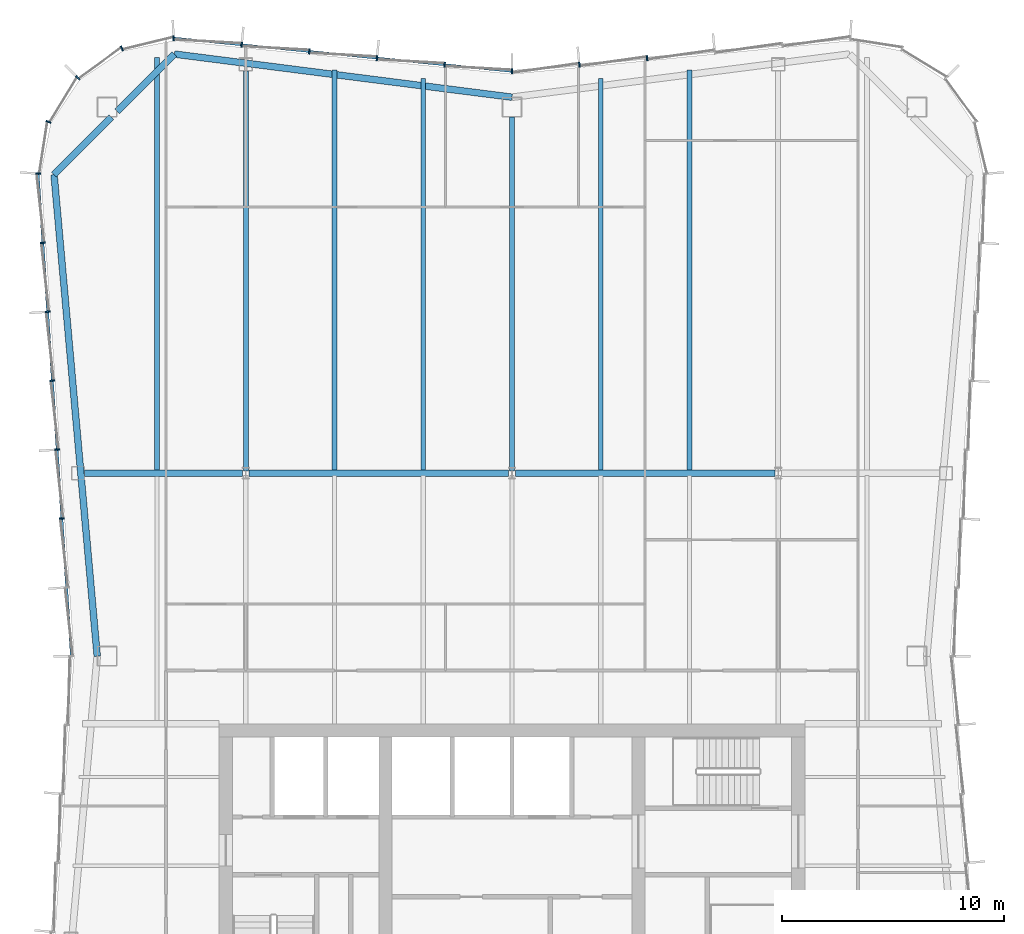
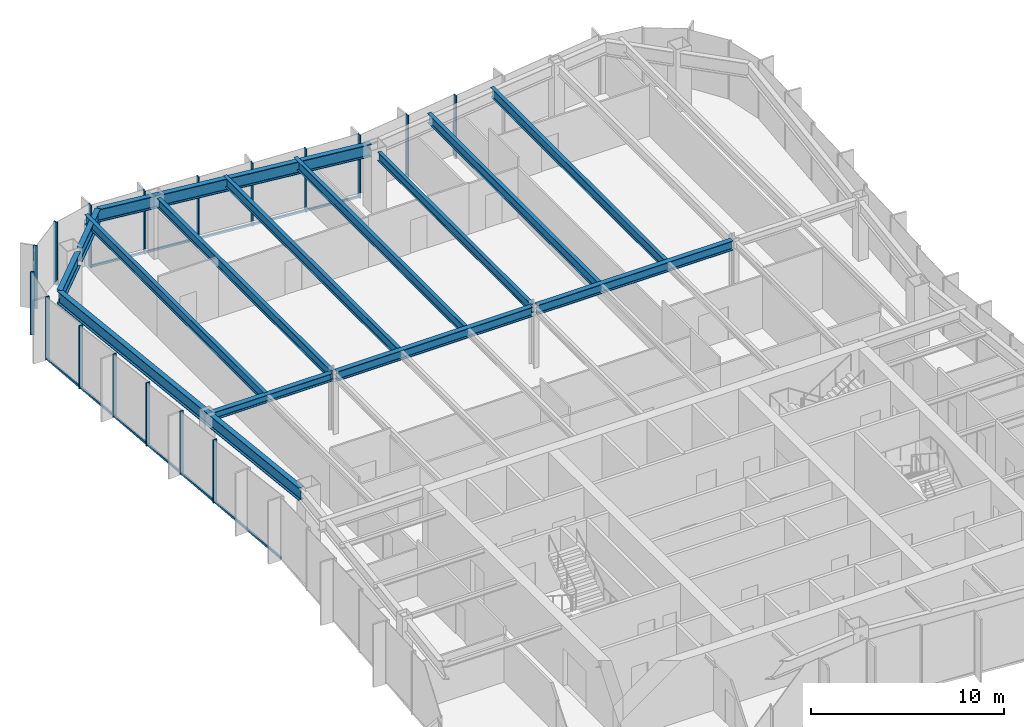
# One storey, part 6 of 13: 19 members, 14 beams, 3 elements without a shape of their own.
"""IFC4 building model written with IfcOpenShell, lengths in metres."""

from ifc_helpers import new_model, si_unit, direction, frame, origin, origin_2d, place, context, subcontext, project, spatial, rectangle, i_section, extrude, material, material_profile, profile_set, type_object, element, aggregate, save


model = new_model("IFC4")

# Units and contexts
model_context = context("Model", 3, precision=1e-05, world=origin(), true_north=direction((0.0, 1.0)))
body_context = subcontext(model_context, "Body", "Model", "MODEL_VIEW")
ifc_project = project(units=[si_unit("LENGTHUNIT", "METRE"), si_unit("AREAUNIT", "SQUARE_METRE"), si_unit("VOLUMEUNIT", "CUBIC_METRE"), si_unit("PLANEANGLEUNIT", "RADIAN"), si_unit("MASSUNIT", "GRAM", prefix="KILO")], contexts=[model_context])

# Site, building, storey
site_placement = place(None, origin())
site = spatial("IfcSite", under=ifc_project, at=site_placement, CompositionType="ELEMENT")
building_placement = place(site_placement, origin())
building = spatial("IfcBuilding", under=site, at=building_placement, Name="Verdant Reach Tower", CompositionType="ELEMENT")
storey_placement = place(building_placement, frame((0.0, 0.0, 330.0)))
storey = spatial("IfcBuildingStorey", under=building, at=storey_placement, Name="L76", CompositionType="ELEMENT", Elevation=330.0)

# Curtain wall, members
ifc_material_1 = material(Name="Anodised aluminium", Category="aluminium")
curtain_wall_type = type_object("IfcCurtainWallType", Name="EN-CW SYSTEM Z5", PredefinedType="NOTDEFINED", material=ifc_material_1)
curtain_wall_1_placement = place(storey_placement, origin())
curtain_wall_1 = element("IfcCurtainWall", 1, at=curtain_wall_1_placement, inside=storey, type_object=curtain_wall_type, Name="Curtain wall north, L76", PredefinedType="NOTDEFINED")
ifc_material_profile_1 = material_profile(ifc_material_1, rectangle(XDim=0.22998046875, YDim=0.070068359375, at=origin_2d()), Name="Mullion 70x230")
ifc_profile_set_1 = profile_set([ifc_material_profile_1], Name="Anodised aluminium")
member_type_1 = type_object("IfcMemberType", Name="EN-MULLION Z5", PredefinedType="MULLION", material=ifc_profile_set_1)
member_1_placement = place(storey_placement, frame((6.088623046875, 68.21435546875, -0.35009765625), z_axis=(0.0, 0.0, 1.0), x_axis=(-0.09788826992, 0.995197410875, 0.0)))
member_1 = element("IfcMember", 2, at=member_1_placement, type_object=member_type_1, Name="Mullion north face part 1 4, L76", PredefinedType="MULLION", context=body_context, shape_type="SweptSolid", body=[
    extrude(rectangle(XDim=0.22998046875, YDim=0.070068359375, at=origin_2d()), origin(), (0.0, 0.0, 1.0), 4.0),
])
member_2_placement = place(storey_placement, frame((3.038818359375, 67.91455078125, -0.35009765625), z_axis=(0.0, 0.0, 1.0), x_axis=(-0.09788826992, 0.995197410875, 0.0)))
member_2 = element("IfcMember", 3, at=member_2_placement, type_object=member_type_1, Name="Mullion north face part 1 5, L76", PredefinedType="MULLION", context=body_context, shape_type="SweptSolid", body=[
    extrude(rectangle(XDim=0.22998046875, YDim=0.070068359375, at=origin_2d()), origin(), (0.0, 0.0, 1.0), 4.0),
])
member_3_placement = place(storey_placement, frame((0.0, 67.614990234375, -0.35009765625), z_axis=(0.0, 0.0, 1.0), x_axis=(0.0, 1.0, 0.0)))
member_3 = element("IfcMember", 4, at=member_3_placement, type_object=member_type_1, Name="Mullion north face part 2 1, L76", PredefinedType="MULLION", context=body_context, shape_type="SweptSolid", body=[
    extrude(rectangle(XDim=0.22998046875, YDim=0.070068359375, at=origin_2d()), origin(), (0.0, 0.0, 1.0), 4.0),
])
member_4_placement = place(storey_placement, frame((-3.038818359375, 67.91455078125, -0.35009765625), z_axis=(0.0, 0.0, 1.0), x_axis=(0.09788826992, 0.995197410875, 0.0)))
member_4 = element("IfcMember", 5, at=member_4_placement, type_object=member_type_1, Name="Mullion north face part 2 2, L76", PredefinedType="MULLION", context=body_context, shape_type="SweptSolid", body=[
    extrude(rectangle(XDim=0.22998046875, YDim=0.070068359375, at=origin_2d()), origin(), (0.0, 0.0, 1.0), 4.0),
])
member_5_placement = place(storey_placement, frame((-6.088623046875, 68.21435546875, -0.35009765625), z_axis=(0.0, 0.0, 1.0), x_axis=(0.09788826992, 0.995197410875, 0.0)))
member_5 = element("IfcMember", 6, at=member_5_placement, type_object=member_type_1, Name="Mullion north face part 2 3, L76", PredefinedType="MULLION", context=body_context, shape_type="SweptSolid", body=[
    extrude(rectangle(XDim=0.22998046875, YDim=0.070068359375, at=origin_2d()), origin(), (0.0, 0.0, 1.0), 4.0),
])
member_6_placement = place(storey_placement, frame((-9.138671875, 68.514404296875, -0.35009765625), z_axis=(0.0, 0.0, 1.0), x_axis=(0.09788826992, 0.995197410875, 0.0)))
member_6 = element("IfcMember", 7, at=member_6_placement, type_object=member_type_1, Name="Mullion north face part 2 4, L76", PredefinedType="MULLION", context=body_context, shape_type="SweptSolid", body=[
    extrude(rectangle(XDim=0.22998046875, YDim=0.070068359375, at=origin_2d()), origin(), (0.0, 0.0, 1.0), 4.0),
])
member_7_placement = place(storey_placement, frame((-12.188720703125, 68.814453125, -0.35009765625), z_axis=(0.0, 0.0, 1.0), x_axis=(0.09788826992, 0.995197410875, 0.0)))
member_7 = element("IfcMember", 8, at=member_7_placement, type_object=member_type_1, Name="Mullion north face part 2 5, L76", PredefinedType="MULLION", context=body_context, shape_type="SweptSolid", body=[
    extrude(rectangle(XDim=0.22998046875, YDim=0.070068359375, at=origin_2d()), origin(), (0.0, 0.0, 1.0), 4.0),
])

curtain_wall_2_placement = place(storey_placement, origin())
curtain_wall_2 = element("IfcCurtainWall", 9, at=curtain_wall_2_placement, inside=storey, type_object=curtain_wall_type, Name="Curtain wall north-west corner, L76", PredefinedType="NOTDEFINED")
member_8_placement = place(storey_placement, frame((-15.255615234375, 69.11474609375, -0.35009765625), z_axis=(0.0, 0.0, 1.0), x_axis=(-0.049127596288, 0.998792510626, 0.0)))
member_8 = element("IfcMember", 10, at=member_8_placement, type_object=member_type_1, Name="Mullion north-west corner 1, L76", PredefinedType="MULLION", context=body_context, shape_type="SweptSolid", body=[
    extrude(rectangle(XDim=0.22998046875, YDim=0.070068359375, at=origin_2d()), origin(), (0.0, 0.0, 1.0), 4.0),
])
member_9_placement = place(storey_placement, frame((-17.590087890625, 68.649658203125, -0.35009765625), z_axis=(0.0, 0.0, 1.0), x_axis=(-0.382693853776, 0.923875215753, 0.0)))
member_9 = element("IfcMember", 11, at=member_9_placement, type_object=member_type_1, Name="Mullion north-west corner 2, L76", PredefinedType="MULLION", context=body_context, shape_type="SweptSolid", body=[
    extrude(rectangle(XDim=0.22998046875, YDim=0.070068359375, at=origin_2d()), origin(), (0.0, 0.0, 1.0), 4.0),
])
member_10_placement = place(storey_placement, frame((-19.573974609375, 67.323974609375, -0.35009765625), z_axis=(0.0, 0.0, 1.0), x_axis=(-0.707106781187, 0.707106781187, 0.0)))
member_10 = element("IfcMember", 12, at=member_10_placement, type_object=member_type_1, Name="Mullion north-west corner 3, L76", PredefinedType="MULLION", context=body_context, shape_type="SweptSolid", body=[
    extrude(rectangle(XDim=0.22998046875, YDim=0.070068359375, at=origin_2d()), origin(), (0.0, 0.0, 1.0), 4.0),
])
member_11_placement = place(storey_placement, frame((-20.899658203125, 65.340087890625, -0.35009765625), z_axis=(0.0, 0.0, 1.0), x_axis=(-0.923875215753, 0.382693853776, 0.0)))
member_11 = element("IfcMember", 13, at=member_11_placement, type_object=member_type_1, Name="Mullion north-west corner 4, L76", PredefinedType="MULLION", context=body_context, shape_type="SweptSolid", body=[
    extrude(rectangle(XDim=0.22998046875, YDim=0.070068359375, at=origin_2d()), origin(), (0.0, 0.0, 1.0), 4.0),
])
aggregate(curtain_wall_2, [member_8, member_9, member_10, member_11])

curtain_wall_3_placement = place(storey_placement, origin())
curtain_wall_3 = element("IfcCurtainWall", 14, at=curtain_wall_3_placement, inside=storey, type_object=curtain_wall_type, Name="Curtain wall west, L76", PredefinedType="NOTDEFINED")
member_12_placement = place(storey_placement, frame((-21.36474609375, 63.00732421875, -0.35009765625), z_axis=(0.0, 0.0, 1.0), x_axis=(-0.997969180898, 0.063698618332, 0.0)))
member_12 = element("IfcMember", 15, at=member_12_placement, type_object=member_type_1, Name="Mullion west face part 1 1, L76", PredefinedType="MULLION", context=body_context, shape_type="SweptSolid", body=[
    extrude(rectangle(XDim=0.22998046875, YDim=0.070068359375, at=origin_2d()), origin(), (0.0, 0.0, 1.0), 4.0),
])
member_13_placement = place(storey_placement, frame((-21.150390625, 59.885009765625, -0.35009765625), z_axis=(0.0, 0.0, 1.0), x_axis=(-0.997630328423, -0.068802091615, 0.0)))
member_13 = element("IfcMember", 16, at=member_13_placement, type_object=member_type_1, Name="Mullion west face part 1 2, L76", PredefinedType="MULLION", context=body_context, shape_type="SweptSolid", body=[
    extrude(rectangle(XDim=0.22998046875, YDim=0.070068359375, at=origin_2d()), origin(), (0.0, 0.0, 1.0), 4.0),
])
member_14_placement = place(storey_placement, frame((-20.93603515625, 56.77783203125, -0.35009765625), z_axis=(0.0, 0.0, 1.0), x_axis=(-0.997630328423, -0.068802091615, 0.0)))
member_14 = element("IfcMember", 17, at=member_14_placement, type_object=member_type_1, Name="Mullion west face part 1 3, L76", PredefinedType="MULLION", context=body_context, shape_type="SweptSolid", body=[
    extrude(rectangle(XDim=0.22998046875, YDim=0.070068359375, at=origin_2d()), origin(), (0.0, 0.0, 1.0), 4.0),
])
member_15_placement = place(storey_placement, frame((-20.721923828125, 53.670654296875, -0.35009765625), z_axis=(0.0, 0.0, 1.0), x_axis=(-0.997630328423, -0.068802091615, 0.0)))
member_15 = element("IfcMember", 18, at=member_15_placement, type_object=member_type_1, Name="Mullion west face part 1 4, L76", PredefinedType="MULLION", context=body_context, shape_type="SweptSolid", body=[
    extrude(rectangle(XDim=0.22998046875, YDim=0.070068359375, at=origin_2d()), origin(), (0.0, 0.0, 1.0), 4.0),
])
member_16_placement = place(storey_placement, frame((-20.507568359375, 50.5634765625, -0.35009765625), z_axis=(0.0, 0.0, 1.0), x_axis=(-0.997630328423, -0.068802091615, 0.0)))
member_16 = element("IfcMember", 19, at=member_16_placement, type_object=member_type_1, Name="Mullion west face part 1 5, L76", PredefinedType="MULLION", context=body_context, shape_type="SweptSolid", body=[
    extrude(rectangle(XDim=0.22998046875, YDim=0.070068359375, at=origin_2d()), origin(), (0.0, 0.0, 1.0), 4.0),
])
member_17_placement = place(storey_placement, frame((-20.293212890625, 47.456298828125, -0.35009765625), z_axis=(0.0, 0.0, 1.0), x_axis=(-0.997630328423, -0.068802091615, 0.0)))
member_17 = element("IfcMember", 20, at=member_17_placement, type_object=member_type_1, Name="Mullion west face part 1 6, L76", PredefinedType="MULLION", context=body_context, shape_type="SweptSolid", body=[
    extrude(rectangle(XDim=0.22998046875, YDim=0.070068359375, at=origin_2d()), origin(), (0.0, 0.0, 1.0), 4.0),
])

# Member
ifc_material_profile_2 = material_profile(ifc_material_1, rectangle(XDim=0.10009765625, YDim=0.1298828125, at=origin_2d()), Name="Transom 130x100")
ifc_profile_set_2 = profile_set([ifc_material_profile_2], Name="Anodised aluminium")
member_type_2 = type_object("IfcMemberType", Name="EN-TRANSOM Z5", PredefinedType="USERDEFINED", material=ifc_profile_set_2)
member_18_placement = place(storey_placement, frame((-0.034912109375, 67.618408203125, -0.284912109375), z_axis=(-0.99520229006, 0.097838652171, 0.0), x_axis=(-0.097838652171, -0.99520229006, 0.0)))
member_18 = element("IfcMember", 21, at=member_18_placement, type_object=member_type_2, Name="Transom north face part 2 1.1, L76", ObjectType="TRANSOM", PredefinedType="USERDEFINED", context=body_context, shape_type="SweptSolid", body=[
    extrude(rectangle(XDim=0.10009765625, YDim=0.1298828125, at=origin_2d()), origin(), (0.0, 0.0, 1.0), 15.259033203125),
])

aggregate(curtain_wall_1, [member_1, member_2, member_3, member_4, member_5, member_6, member_7, member_18])

member_19_placement = place(storey_placement, frame((-21.3623046875, 62.972412109375, -0.284912109375), z_axis=(0.068764705107, -0.997632906099, 0.0), x_axis=(0.997632906099, 0.068764705107, 0.0)))
member_19 = element("IfcMember", 22, at=member_19_placement, type_object=member_type_2, Name="Transom west face part 1 1.1, L76", ObjectType="TRANSOM", PredefinedType="USERDEFINED", context=body_context, shape_type="SweptSolid", body=[
    extrude(rectangle(XDim=0.10009765625, YDim=0.1298828125, at=origin_2d()), origin(), (0.0, 0.0, 1.0), 21.739013671875),
])

aggregate(curtain_wall_3, [member_12, member_13, member_14, member_15, member_16, member_17, member_19])

# Beams
ifc_material_2 = material(Name="Steel S355", Category="steel")
ifc_material_profile_3 = material_profile(ifc_material_2, i_section(OverallWidth=0.300048828125, OverallDepth=0.489990234375, WebThickness=0.011962890625, FlangeThickness=0.02294921875, FilletRadius=0.027099609375, at=origin_2d()), Name="HEA 500")
ifc_profile_set_3 = profile_set([ifc_material_profile_3], Name="Steel S355")
beam_type_1 = type_object("IfcBeamType", Name="ST-BEAM-HEA500", PredefinedType="BEAM", material=ifc_profile_set_3)
beam_1_placement = place(storey_placement, frame((-19.26904296875, 49.5, 3.574951171875), z_axis=(1.0, 0.0, 0.0), x_axis=(0.0, 1.0, 0.0)))
element("IfcBeam", 23, at=beam_1_placement, inside=storey, type_object=beam_type_1, Name="Row girder, L76", PredefinedType="BEAM", context=body_context, shape_type="SweptSolid", body=[
    extrude(i_section(OverallWidth=0.300048828125, OverallDepth=0.489990234375, WebThickness=0.011962890625, FlangeThickness=0.02294921875, FilletRadius=0.027099609375, at=origin_2d()), origin(), (0.0, 0.0, 1.0), 7.115966796875),
])
ifc_material_profile_4 = material_profile(ifc_material_2, i_section(OverallWidth=0.300048828125, OverallDepth=0.60009765625, WebThickness=0.015380859375, FlangeThickness=0.030029296875, FilletRadius=0.027099609375, at=origin_2d()), Name="HEB 600")
ifc_profile_set_4 = profile_set([ifc_material_profile_4], Name="Steel S355")
beam_type_2 = type_object("IfcBeamType", Name="ST-BEAM-HEB600", PredefinedType="BEAM", material=ifc_profile_set_4)
for number, where, z_axis, x_axis, name in (
    (24, (-11.846923828125, 49.5, 3.52001953125), (1.0, 0.0, 0.0), (0.0, 1.0, 0.0), "Row girder, L76"),
    (25, (0.153076171875, 49.5, 3.52001953125), (1.0, 0.0, 0.0), (0.0, 1.0, 0.0), "Row girder, L76"),
):
    element("IfcBeam", number, at=place(storey_placement, frame(where, z_axis=z_axis, x_axis=x_axis)), inside=storey, type_object=beam_type_2, Name=name, PredefinedType="BEAM", context=body_context, shape_type="SweptSolid", body=[
        extrude(i_section(OverallWidth=0.300048828125, OverallDepth=0.60009765625, WebThickness=0.015380859375, FlangeThickness=0.030029296875, FilletRadius=0.027099609375, at=origin_2d()), origin(), (0.0, 0.0, 1.0), 11.69384765625),
    ])
ifc_material_profile_5 = material_profile(ifc_material_2, i_section(OverallWidth=0.2099609375, OverallDepth=0.550048828125, WebThickness=0.010986328125, FlangeThickness=0.01708984375, FilletRadius=0.02392578125, at=origin_2d()), Name="IPE 550")
ifc_profile_set_5 = profile_set([ifc_material_profile_5], Name="Steel S355")
beam_type_3 = type_object("IfcBeamType", Name="ST-JOIST-IPE550", PredefinedType="JOIST", material=ifc_profile_set_5)
beam_2_placement = place(storey_placement, frame((0.0, 49.60009765625, 3.544921875), z_axis=(0.0, 1.0, 0.0), x_axis=(-1.0, 0.0, 0.0)))
element("IfcBeam", 26, at=beam_2_placement, inside=storey, type_object=beam_type_3, Name="Floor joist, L76", PredefinedType="JOIST", context=body_context, shape_type="SweptSolid", body=[
    extrude(i_section(OverallWidth=0.2099609375, OverallDepth=0.550048828125, WebThickness=0.010986328125, FlangeThickness=0.01708984375, FilletRadius=0.02392578125, at=origin_2d()), origin(), (0.0, 0.0, 1.0), 15.949951171875),
])
ifc_material_profile_6 = material_profile(ifc_material_2, i_section(OverallWidth=0.219970703125, OverallDepth=0.60009765625, WebThickness=0.011962890625, FlangeThickness=0.01904296875, FilletRadius=0.02392578125, at=origin_2d()), Name="IPE 600")
ifc_profile_set_6 = profile_set([ifc_material_profile_6], Name="Steel S355")
beam_type_4 = type_object("IfcBeamType", Name="ST-JOIST-IPE600", PredefinedType="JOIST", material=ifc_profile_set_6)
beam_3_placement = place(storey_placement, frame((-16.0, 49.60009765625, 3.52001953125), z_axis=(0.0, 1.0, 0.0), x_axis=(-1.0, 0.0, 0.0)))
element("IfcBeam", 27, at=beam_3_placement, inside=storey, type_object=beam_type_4, Name="Floor joist, L76", PredefinedType="JOIST", context=body_context, shape_type="SweptSolid", body=[
    extrude(i_section(OverallWidth=0.219970703125, OverallDepth=0.60009765625, WebThickness=0.011962890625, FlangeThickness=0.01904296875, FilletRadius=0.02392578125, at=origin_2d()), origin(), (0.0, 0.0, 1.0), 18.638916015625),
])
beam_4_placement = place(storey_placement, frame((-12.0, 49.60009765625, 3.52001953125), z_axis=(0.0, 1.0, 0.0), x_axis=(-1.0, 0.0, 0.0)))
element("IfcBeam", 28, at=beam_4_placement, inside=storey, type_object=beam_type_4, Name="Floor joist, L76", PredefinedType="JOIST", context=body_context, shape_type="SweptSolid", body=[
    extrude(i_section(OverallWidth=0.219970703125, OverallDepth=0.60009765625, WebThickness=0.011962890625, FlangeThickness=0.01904296875, FilletRadius=0.02392578125, at=origin_2d()), origin(), (0.0, 0.0, 1.0), 18.0302734375),
])
beam_5_placement = place(storey_placement, frame((-8.0, 49.60009765625, 3.52001953125), z_axis=(0.0, 1.0, 0.0), x_axis=(-1.0, 0.0, 0.0)))
element("IfcBeam", 29, at=beam_5_placement, inside=storey, type_object=beam_type_4, Name="Floor joist, L76", PredefinedType="JOIST", context=body_context, shape_type="SweptSolid", body=[
    extrude(i_section(OverallWidth=0.219970703125, OverallDepth=0.60009765625, WebThickness=0.011962890625, FlangeThickness=0.01904296875, FilletRadius=0.02392578125, at=origin_2d()), origin(), (0.0, 0.0, 1.0), 18.083984375),
])
for number, where, z_axis, x_axis, name in (
    (30, (-4.0, 49.60009765625, 3.52001953125), (0.0, 1.0, 0.0), (-1.0, 0.0, 0.0), "Floor joist, L76"),
    (31, (4.0, 49.60009765625, 3.52001953125), (0.0, 1.0, 0.0), (-1.0, 0.0, 0.0), "Floor joist, L76"),
):
    element("IfcBeam", number, at=place(storey_placement, frame(where, z_axis=z_axis, x_axis=x_axis)), inside=storey, type_object=beam_type_4, Name=name, PredefinedType="JOIST", context=body_context, shape_type="SweptSolid", body=[
        extrude(i_section(OverallWidth=0.219970703125, OverallDepth=0.60009765625, WebThickness=0.011962890625, FlangeThickness=0.01904296875, FilletRadius=0.02392578125, at=origin_2d()), origin(), (0.0, 0.0, 1.0), 17.6904296875),
    ])
beam_6_placement = place(storey_placement, frame((8.0, 49.60009765625, 3.52001953125), z_axis=(0.0, 1.0, 0.0), x_axis=(-1.0, 0.0, 0.0)))
element("IfcBeam", 32, at=beam_6_placement, inside=storey, type_object=beam_type_4, Name="Floor joist, L76", PredefinedType="JOIST", context=body_context, shape_type="SweptSolid", body=[
    extrude(i_section(OverallWidth=0.219970703125, OverallDepth=0.60009765625, WebThickness=0.011962890625, FlangeThickness=0.01904296875, FilletRadius=0.02392578125, at=origin_2d()), origin(), (0.0, 0.0, 1.0), 18.083984375),
])
ifc_material_profile_7 = material_profile(ifc_material_2, i_section(OverallWidth=0.300048828125, OverallDepth=0.800048828125, WebThickness=0.017578125, FlangeThickness=0.032958984375, FilletRadius=0.030029296875, at=origin_2d()), Name="HEB 800")
ifc_profile_set_7 = profile_set([ifc_material_profile_7], Name="Steel S355")
beam_type_5 = type_object("IfcBeamType", Name="ST-SPANDREL-HEB800", PredefinedType="SPANDREL", material=ifc_profile_set_7)
beam_7_placement = place(storey_placement, frame((-18.699951171875, 41.25, 3.419921875), z_axis=(-0.089274399498, 0.996007069048, 0.0), x_axis=(-0.996007069048, -0.089274399498, 0.0)))
element("IfcBeam", 33, at=beam_7_placement, inside=storey, type_object=beam_type_5, Name="Edge beam, L76", PredefinedType="SPANDREL", context=body_context, shape_type="SweptSolid", body=[
    extrude(i_section(OverallWidth=0.300048828125, OverallDepth=0.800048828125, WebThickness=0.017578125, FlangeThickness=0.032958984375, FilletRadius=0.030029296875, at=origin_2d()), origin(), (0.0, 0.0, 1.0), 21.798583984375),
])
beam_8_placement = place(storey_placement, frame((-15.22021484375, 68.394287109375, 3.419921875), z_axis=(0.991938889669, -0.126717162063, 0.0), x_axis=(0.126717162063, 0.991938889669, 0.0)))
element("IfcBeam", 34, at=beam_8_placement, inside=storey, type_object=beam_type_5, Name="Edge beam, L76", PredefinedType="SPANDREL", context=body_context, shape_type="SweptSolid", body=[
    extrude(i_section(OverallWidth=0.300048828125, OverallDepth=0.800048828125, WebThickness=0.017578125, FlangeThickness=0.032958984375, FilletRadius=0.030029296875, at=origin_2d()), origin(), (0.0, 0.0, 1.0), 15.343994140625),
])
ifc_material_profile_8 = material_profile(ifc_material_2, i_section(OverallWidth=0.302001953125, OverallDepth=0.909912109375, WebThickness=0.02099609375, FlangeThickness=0.0400390625, FilletRadius=0.030029296875, at=origin_2d()), Name="HEM 900")
ifc_profile_set_8 = profile_set([ifc_material_profile_8], Name="Steel S355")
beam_type_6 = type_object("IfcBeamType", Name="ST-SPANDREL-HEM900", PredefinedType="SPANDREL", material=ifc_profile_set_8)
beam_9_placement = place(storey_placement, frame((-20.64599609375, 62.96142578125, 3.364990234375), z_axis=(0.706639493403, 0.707573760369, 0.0), x_axis=(-0.707573760369, 0.706639493403, 0.0)))
element("IfcBeam", 35, at=beam_9_placement, inside=storey, type_object=beam_type_6, Name="Edge beam, L76", PredefinedType="SPANDREL", context=body_context, shape_type="SweptSolid", body=[
    extrude(i_section(OverallWidth=0.302001953125, OverallDepth=0.909912109375, WebThickness=0.02099609375, FlangeThickness=0.0400390625, FilletRadius=0.030029296875, at=origin_2d()), origin(), (0.0, 0.0, 1.0), 3.658447265625),
])
beam_10_placement = place(storey_placement, frame((-17.800048828125, 65.81103515625, 3.364990234375), z_axis=(0.706638520854, 0.707574731632, 0.0), x_axis=(-0.707574731632, 0.706638520854, 0.0)))
element("IfcBeam", 36, at=beam_10_placement, inside=storey, type_object=beam_type_6, Name="Edge beam, L76", PredefinedType="SPANDREL", context=body_context, shape_type="SweptSolid", body=[
    extrude(i_section(OverallWidth=0.302001953125, OverallDepth=0.909912109375, WebThickness=0.02099609375, FlangeThickness=0.0400390625, FilletRadius=0.030029296875, at=origin_2d()), origin(), (0.0, 0.0, 1.0), 3.65087890625),
])

save(model, "model.ifc")
